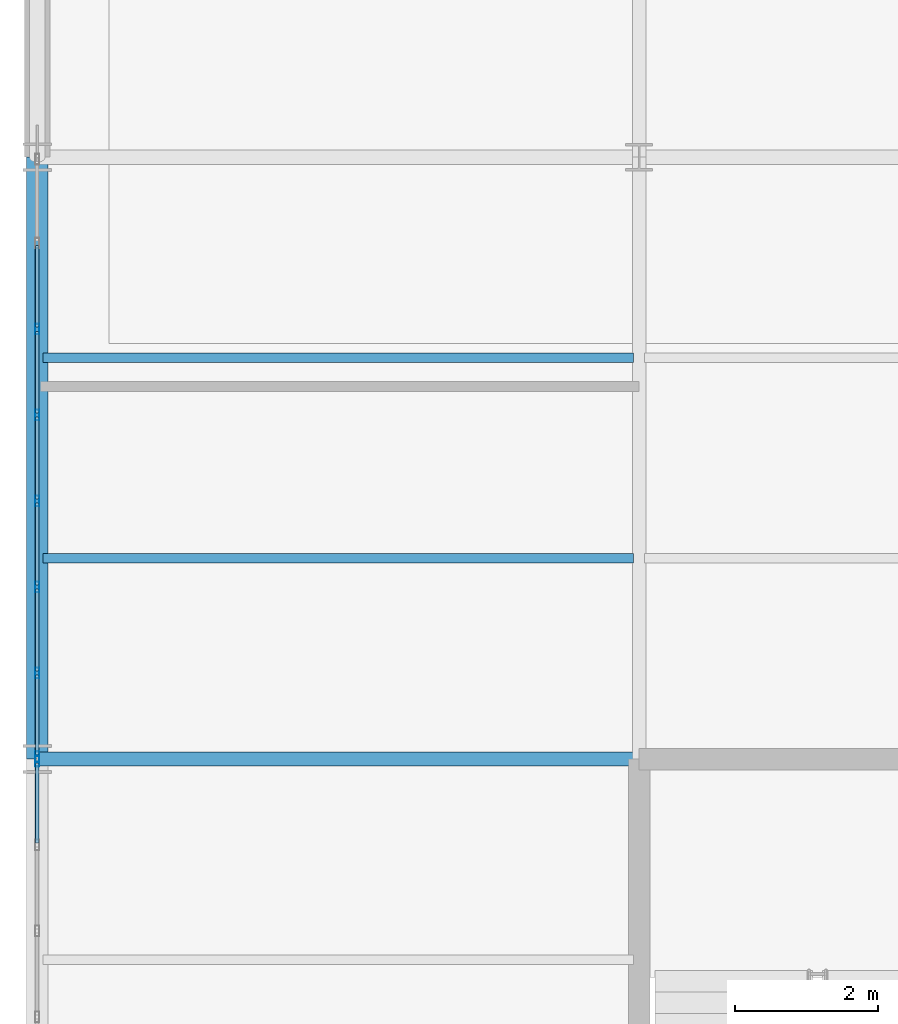
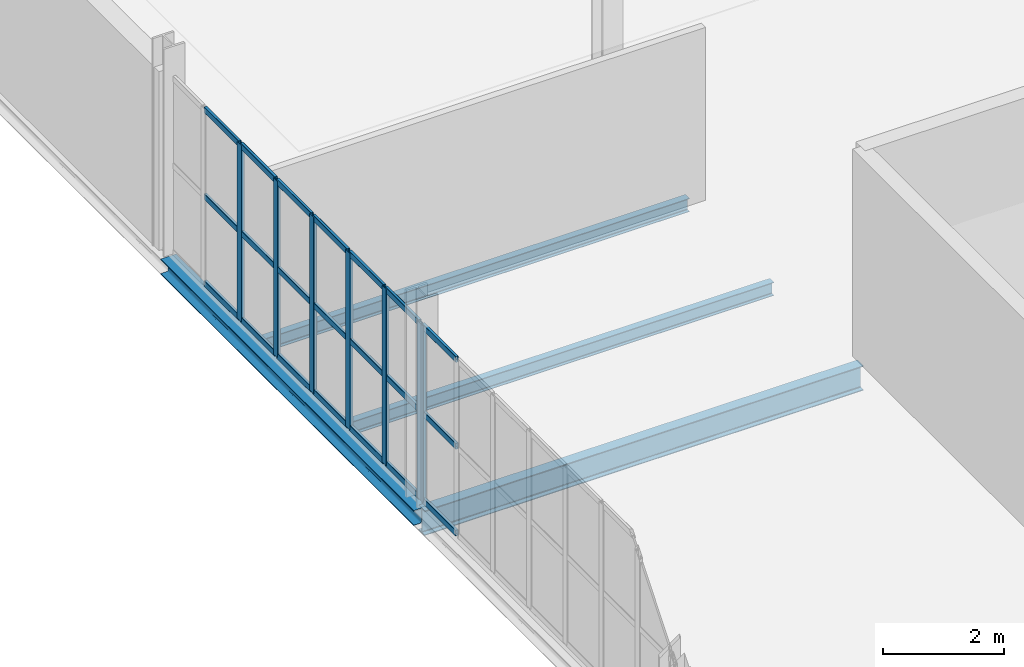
# One storey, part 30 of 163: 28 members, 4 beams, 2 elements without a shape of their own.
"""IFC4 building model written with IfcOpenShell, lengths in metres."""

from ifc_helpers import new_model, si_unit, direction, frame, origin, origin_2d, place, context, subcontext, project, spatial, hollow_rectangle, i_section, extrude, material, layer, layer_set, material_profile, profile_set, type_object, element, aggregate, save


model = new_model("IFC4")

# Units and contexts
model_context = context("Model", 3, precision=1e-05, world=origin(), true_north=direction((0.0, 1.0)))
body_context = subcontext(model_context, "Body", "Model", "MODEL_VIEW")
ifc_project = project(units=[si_unit("LENGTHUNIT", "METRE"), si_unit("AREAUNIT", "SQUARE_METRE"), si_unit("VOLUMEUNIT", "CUBIC_METRE"), si_unit("PLANEANGLEUNIT", "RADIAN"), si_unit("MASSUNIT", "GRAM", prefix="KILO")], contexts=[model_context])

# Site, building, storey
site_placement = place(None, origin())
site = spatial("IfcSite", under=ifc_project, at=site_placement, CompositionType="ELEMENT")
building_placement = place(site_placement, origin())
building = spatial("IfcBuilding", under=site, at=building_placement, Name="Qalvenar Corner Mobility Hub", CompositionType="ELEMENT")
storey_placement = place(building_placement, frame((0.0, 0.0, 4.800048828125)))
storey = spatial("IfcBuildingStorey", under=building, at=storey_placement, Name="L01", CompositionType="ELEMENT", Elevation=4.800048828125)

# Beams
ifc_material_1 = material(Name="Steel S355", Category="steel")
ifc_material_profile_1 = material_profile(ifc_material_1, i_section(OverallWidth=0.199951171875, OverallDepth=0.5, WebThickness=0.01025390625, FlangeThickness=0.01611328125, FilletRadius=0.02099609375, at=origin_2d()), Name="IPE500")
ifc_profile_set_1 = profile_set([ifc_material_profile_1], Name="Steel S355")
beam_type_1 = type_object("IfcBeamType", Name="BM-IPE500", PredefinedType="BEAM", material=ifc_profile_set_1)
beam_1_placement = place(storey_placement, frame((0.0, 16.800048828125, -0.429931640625), z_axis=(1.0, 0.0, 0.0), x_axis=(0.0, 1.0, 0.0)))
element("IfcBeam", 1, at=beam_1_placement, inside=storey, type_object=beam_type_1, Name="Primary Steel Girder GX-0827", PredefinedType="BEAM", context=body_context, shape_type="SweptSolid", body=[
    extrude(i_section(OverallWidth=0.199951171875, OverallDepth=0.5, WebThickness=0.01025390625, FlangeThickness=0.01611328125, FilletRadius=0.02099609375, at=origin_2d()), origin(), (0.0, 0.0, 1.0), 8.39990234375),
])
ifc_material_profile_2 = material_profile(ifc_material_1, i_section(OverallWidth=0.135009765625, OverallDepth=0.27001953125, WebThickness=0.006591796875, FlangeThickness=0.01025390625, FilletRadius=0.014892578125, at=origin_2d()), Name="IPE270")
ifc_profile_set_2 = profile_set([ifc_material_profile_2], Name="Steel S355")
beam_type_2 = type_object("IfcBeamType", Name="BM-JST270", PredefinedType="JOIST", material=ifc_profile_set_2)
for number, where, z_axis, x_axis, name in (
    (2, (0.077880859375, 19.60009765625, -0.31494140625), (1.0, 0.0, 0.0), (0.0, 1.0, 0.0), "Composite Floor Joist J-0891"),
    (3, (0.077880859375, 22.39990234375, -0.31494140625), (1.0, 0.0, 0.0), (0.0, 1.0, 0.0), "Composite Floor Joist J-0892"),
):
    element("IfcBeam", number, at=place(storey_placement, frame(where, z_axis=z_axis, x_axis=x_axis)), inside=storey, type_object=beam_type_2, Name=name, PredefinedType="JOIST", context=body_context, shape_type="SweptSolid", body=[
        extrude(i_section(OverallWidth=0.135009765625, OverallDepth=0.27001953125, WebThickness=0.006591796875, FlangeThickness=0.01025390625, FilletRadius=0.014892578125, at=origin_2d()), origin(), (0.0, 0.0, 1.0), 8.244140625),
    ])
ifc_material_profile_3 = material_profile(ifc_material_1, i_section(OverallWidth=0.300048828125, OverallDepth=0.31005859375, WebThickness=0.009033203125, FlangeThickness=0.015380859375, FilletRadius=0.027099609375, at=origin_2d()), Name="HEA320")
ifc_profile_set_3 = profile_set([ifc_material_profile_3], Name="Steel S355")
beam_type_3 = type_object("IfcBeamType", Name="BM-SPN320", PredefinedType="SPANDREL", material=ifc_profile_set_3)
beam_2_placement = place(storey_placement, frame((0.0, 16.800048828125, -0.3349609375), z_axis=(0.0, 1.0, 0.0), x_axis=(-1.0, 0.0, 0.0)))
element("IfcBeam", 4, at=beam_2_placement, inside=storey, type_object=beam_type_3, Name="Primary Steel Girder GY-0853", PredefinedType="SPANDREL", context=body_context, shape_type="SweptSolid", body=[
    extrude(i_section(OverallWidth=0.300048828125, OverallDepth=0.31005859375, WebThickness=0.009033203125, FlangeThickness=0.015380859375, FilletRadius=0.027099609375, at=origin_2d()), origin(), (0.0, 0.0, 1.0), 8.39990234375),
])

# Curtain wall, member
ifc_material_2 = material(Name="Anodised Aluminium and Low-E Glazing", Category="aluminium")
ifc_layer = layer(ifc_material_2, 0.14990234375)
ifc_layer_set = layer_set([ifc_layer], Name="Anodised Aluminium and Low-E Glazing")
curtain_wall_type = type_object("IfcCurtainWallType", Name="CW-CIV-84X40", PredefinedType="NOTDEFINED", material=ifc_layer_set)
curtain_wall_1_placement = place(storey_placement, origin())
curtain_wall_1 = element("IfcCurtainWall", 5, at=curtain_wall_1_placement, inside=storey, type_object=curtain_wall_type, Name="Glazed Curtain Wall CW-V3-L01-W1", PredefinedType="NOTDEFINED")
ifc_material_3 = material(Name="Anodised Aluminium 6063-T6", Category="aluminium")
ifc_material_profile_4 = material_profile(ifc_material_3, hollow_rectangle(XDim=0.06005859375, YDim=0.14990234375, WallThickness=0.00390625, InnerFilletRadius=0.00390625, OuterFilletRadius=0.008056640625, at=origin_2d()), Name="RHS150x60x4")
ifc_profile_set_4 = profile_set([ifc_material_profile_4], Name="Anodised Aluminium 6063-T6")
member_type_1 = type_object("IfcMemberType", Name="CW-MUL150", PredefinedType="MULLION", material=ifc_profile_set_4)
member_1_placement = place(storey_placement, frame((0.0, 16.77001953125, 0.0), z_axis=(0.0, 0.0, 1.0), x_axis=(1.0, 0.0, 0.0)))
member_1 = element("IfcMember", 6, at=member_1_placement, type_object=member_type_1, Name="CW-05 mullion 1", PredefinedType="MULLION", context=body_context, shape_type="SweptSolid", body=[
    extrude(hollow_rectangle(XDim=0.06005859375, YDim=0.14990234375, WallThickness=0.00390625, InnerFilletRadius=0.00390625, OuterFilletRadius=0.008056640625, at=origin_2d()), origin(), (0.0, 0.0, 1.0), 3.570068359375),
])

# Curtain wall, members
curtain_wall_2_placement = place(storey_placement, origin())
curtain_wall_2 = element("IfcCurtainWall", 7, at=curtain_wall_2_placement, inside=storey, type_object=curtain_wall_type, Name="Glazed Curtain Wall CW-V3-L01-W2", PredefinedType="NOTDEFINED")
member_2_placement = place(storey_placement, frame((0.0, 22.800048828125, 0.0), z_axis=(0.0, 0.0, 1.0), x_axis=(1.0, 0.0, 0.0)))
member_2 = element("IfcMember", 8, at=member_2_placement, type_object=member_type_1, Name="CW-05 mullion 3", PredefinedType="MULLION", context=body_context, shape_type="SweptSolid", body=[
    extrude(hollow_rectangle(XDim=0.06005859375, YDim=0.14990234375, WallThickness=0.00390625, InnerFilletRadius=0.00390625, OuterFilletRadius=0.008056640625, at=origin_2d()), origin(), (0.0, 0.0, 1.0), 3.570068359375),
])
member_3_placement = place(storey_placement, frame((0.0, 21.60009765625, 0.0), z_axis=(0.0, 0.0, 1.0), x_axis=(1.0, 0.0, 0.0)))
member_3 = element("IfcMember", 9, at=member_3_placement, type_object=member_type_1, Name="CW-05 mullion 4", PredefinedType="MULLION", context=body_context, shape_type="SweptSolid", body=[
    extrude(hollow_rectangle(XDim=0.06005859375, YDim=0.14990234375, WallThickness=0.00390625, InnerFilletRadius=0.00390625, OuterFilletRadius=0.008056640625, at=origin_2d()), origin(), (0.0, 0.0, 1.0), 3.570068359375),
])
member_4_placement = place(storey_placement, frame((0.0, 20.39990234375, 0.0), z_axis=(0.0, 0.0, 1.0), x_axis=(1.0, 0.0, 0.0)))
member_4 = element("IfcMember", 10, at=member_4_placement, type_object=member_type_1, Name="CW-05 mullion 5", PredefinedType="MULLION", context=body_context, shape_type="SweptSolid", body=[
    extrude(hollow_rectangle(XDim=0.06005859375, YDim=0.14990234375, WallThickness=0.00390625, InnerFilletRadius=0.00390625, OuterFilletRadius=0.008056640625, at=origin_2d()), origin(), (0.0, 0.0, 1.0), 3.570068359375),
])
member_5_placement = place(storey_placement, frame((0.0, 19.199951171875, 0.0), z_axis=(0.0, 0.0, 1.0), x_axis=(1.0, 0.0, 0.0)))
member_5 = element("IfcMember", 11, at=member_5_placement, type_object=member_type_1, Name="CW-05 mullion 6", PredefinedType="MULLION", context=body_context, shape_type="SweptSolid", body=[
    extrude(hollow_rectangle(XDim=0.06005859375, YDim=0.14990234375, WallThickness=0.00390625, InnerFilletRadius=0.00390625, OuterFilletRadius=0.008056640625, at=origin_2d()), origin(), (0.0, 0.0, 1.0), 3.570068359375),
])
member_6_placement = place(storey_placement, frame((0.0, 18.0, 0.0), z_axis=(0.0, 0.0, 1.0), x_axis=(1.0, 0.0, 0.0)))
member_6 = element("IfcMember", 12, at=member_6_placement, type_object=member_type_1, Name="CW-05 mullion 7", PredefinedType="MULLION", context=body_context, shape_type="SweptSolid", body=[
    extrude(hollow_rectangle(XDim=0.06005859375, YDim=0.14990234375, WallThickness=0.00390625, InnerFilletRadius=0.00390625, OuterFilletRadius=0.008056640625, at=origin_2d()), origin(), (0.0, 0.0, 1.0), 3.570068359375),
])
member_7_placement = place(storey_placement, frame((0.0, 16.830078125, 0.0), z_axis=(0.0, 0.0, 1.0), x_axis=(1.0, 0.0, 0.0)))
member_7 = element("IfcMember", 13, at=member_7_placement, type_object=member_type_1, Name="CW-05 mullion 8", PredefinedType="MULLION", context=body_context, shape_type="SweptSolid", body=[
    extrude(hollow_rectangle(XDim=0.06005859375, YDim=0.14990234375, WallThickness=0.00390625, InnerFilletRadius=0.00390625, OuterFilletRadius=0.008056640625, at=origin_2d()), origin(), (0.0, 0.0, 1.0), 3.570068359375),
])

# Member
ifc_material_profile_5 = material_profile(ifc_material_3, hollow_rectangle(XDim=0.054931640625, YDim=0.1201171875, WallThickness=0.00341796875, InnerFilletRadius=0.00341796875, OuterFilletRadius=0.007080078125, at=origin_2d()), Name="RHS120x55x3.5")
ifc_profile_set_5 = profile_set([ifc_material_profile_5], Name="Anodised Aluminium 6063-T6")
member_type_2 = type_object("IfcMemberType", Name="CW-TRN120", PredefinedType="USERDEFINED", material=ifc_profile_set_5)
member_8_placement = place(storey_placement, frame((0.0, 16.739990234375, 0.02734375), z_axis=(0.0, -1.0, 0.0), x_axis=(1.0, 0.0, 0.0)))
member_8 = element("IfcMember", 14, at=member_8_placement, type_object=member_type_2, Name="CW-05 transom 1.1", ObjectType="TRANSOM", PredefinedType="USERDEFINED", context=body_context, shape_type="SweptSolid", body=[
    extrude(hollow_rectangle(XDim=0.054931640625, YDim=0.1201171875, WallThickness=0.00341796875, InnerFilletRadius=0.00341796875, OuterFilletRadius=0.007080078125, at=origin_2d()), origin(), (0.0, 0.0, 1.0), 1.110107421875),
])

member_9_placement = place(storey_placement, frame((0.0, 16.739990234375, 1.784912109375), z_axis=(0.0, -1.0, 0.0), x_axis=(1.0, 0.0, 0.0)))
member_9 = element("IfcMember", 15, at=member_9_placement, type_object=member_type_2, Name="CW-05 transom 1.2", ObjectType="TRANSOM", PredefinedType="USERDEFINED", context=body_context, shape_type="SweptSolid", body=[
    extrude(hollow_rectangle(XDim=0.054931640625, YDim=0.1201171875, WallThickness=0.00341796875, InnerFilletRadius=0.00341796875, OuterFilletRadius=0.007080078125, at=origin_2d()), origin(), (0.0, 0.0, 1.0), 1.110107421875),
])

member_10_placement = place(storey_placement, frame((0.0, 16.739990234375, 3.54248046875), z_axis=(0.0, -1.0, 0.0), x_axis=(1.0, 0.0, 0.0)))
member_10 = element("IfcMember", 16, at=member_10_placement, type_object=member_type_2, Name="CW-05 transom 1.3", ObjectType="TRANSOM", PredefinedType="USERDEFINED", context=body_context, shape_type="SweptSolid", body=[
    extrude(hollow_rectangle(XDim=0.054931640625, YDim=0.1201171875, WallThickness=0.00341796875, InnerFilletRadius=0.00341796875, OuterFilletRadius=0.007080078125, at=origin_2d()), origin(), (0.0, 0.0, 1.0), 1.110107421875),
])

aggregate(curtain_wall_1, [member_1, member_8, member_9, member_10])

member_11_placement = place(storey_placement, frame((0.0, 23.969970703125, 0.02734375), z_axis=(0.0, -1.0, 0.0), x_axis=(1.0, 0.0, 0.0)))
member_11 = element("IfcMember", 17, at=member_11_placement, type_object=member_type_2, Name="CW-05 transom 2.1", ObjectType="TRANSOM", PredefinedType="USERDEFINED", context=body_context, shape_type="SweptSolid", body=[
    extrude(hollow_rectangle(XDim=0.054931640625, YDim=0.1201171875, WallThickness=0.00341796875, InnerFilletRadius=0.00341796875, OuterFilletRadius=0.007080078125, at=origin_2d()), origin(), (0.0, 0.0, 1.0), 1.139892578125),
])

member_12_placement = place(storey_placement, frame((0.0, 23.969970703125, 1.784912109375), z_axis=(0.0, -1.0, 0.0), x_axis=(1.0, 0.0, 0.0)))
member_12 = element("IfcMember", 18, at=member_12_placement, type_object=member_type_2, Name="CW-05 transom 2.2", ObjectType="TRANSOM", PredefinedType="USERDEFINED", context=body_context, shape_type="SweptSolid", body=[
    extrude(hollow_rectangle(XDim=0.054931640625, YDim=0.1201171875, WallThickness=0.00341796875, InnerFilletRadius=0.00341796875, OuterFilletRadius=0.007080078125, at=origin_2d()), origin(), (0.0, 0.0, 1.0), 1.139892578125),
])

member_13_placement = place(storey_placement, frame((0.0, 23.969970703125, 3.54248046875), z_axis=(0.0, -1.0, 0.0), x_axis=(1.0, 0.0, 0.0)))
member_13 = element("IfcMember", 19, at=member_13_placement, type_object=member_type_2, Name="CW-05 transom 2.3", ObjectType="TRANSOM", PredefinedType="USERDEFINED", context=body_context, shape_type="SweptSolid", body=[
    extrude(hollow_rectangle(XDim=0.054931640625, YDim=0.1201171875, WallThickness=0.00341796875, InnerFilletRadius=0.00341796875, OuterFilletRadius=0.007080078125, at=origin_2d()), origin(), (0.0, 0.0, 1.0), 1.139892578125),
])

member_14_placement = place(storey_placement, frame((0.0, 22.77001953125, 0.02734375), z_axis=(0.0, -1.0, 0.0), x_axis=(1.0, 0.0, 0.0)))
member_14 = element("IfcMember", 20, at=member_14_placement, type_object=member_type_2, Name="CW-05 transom 3.1", ObjectType="TRANSOM", PredefinedType="USERDEFINED", context=body_context, shape_type="SweptSolid", body=[
    extrude(hollow_rectangle(XDim=0.054931640625, YDim=0.1201171875, WallThickness=0.00341796875, InnerFilletRadius=0.00341796875, OuterFilletRadius=0.007080078125, at=origin_2d()), origin(), (0.0, 0.0, 1.0), 1.14013671875),
])

member_15_placement = place(storey_placement, frame((0.0, 22.77001953125, 1.784912109375), z_axis=(0.0, -1.0, 0.0), x_axis=(1.0, 0.0, 0.0)))
member_15 = element("IfcMember", 21, at=member_15_placement, type_object=member_type_2, Name="CW-05 transom 3.2", ObjectType="TRANSOM", PredefinedType="USERDEFINED", context=body_context, shape_type="SweptSolid", body=[
    extrude(hollow_rectangle(XDim=0.054931640625, YDim=0.1201171875, WallThickness=0.00341796875, InnerFilletRadius=0.00341796875, OuterFilletRadius=0.007080078125, at=origin_2d()), origin(), (0.0, 0.0, 1.0), 1.14013671875),
])

member_16_placement = place(storey_placement, frame((0.0, 22.77001953125, 3.54248046875), z_axis=(0.0, -1.0, 0.0), x_axis=(1.0, 0.0, 0.0)))
member_16 = element("IfcMember", 22, at=member_16_placement, type_object=member_type_2, Name="CW-05 transom 3.3", ObjectType="TRANSOM", PredefinedType="USERDEFINED", context=body_context, shape_type="SweptSolid", body=[
    extrude(hollow_rectangle(XDim=0.054931640625, YDim=0.1201171875, WallThickness=0.00341796875, InnerFilletRadius=0.00341796875, OuterFilletRadius=0.007080078125, at=origin_2d()), origin(), (0.0, 0.0, 1.0), 1.14013671875),
])

member_17_placement = place(storey_placement, frame((0.0, 21.570068359375, 0.02734375), z_axis=(0.0, -1.0, 0.0), x_axis=(1.0, 0.0, 0.0)))
member_17 = element("IfcMember", 23, at=member_17_placement, type_object=member_type_2, Name="CW-05 transom 4.1", ObjectType="TRANSOM", PredefinedType="USERDEFINED", context=body_context, shape_type="SweptSolid", body=[
    extrude(hollow_rectangle(XDim=0.054931640625, YDim=0.1201171875, WallThickness=0.00341796875, InnerFilletRadius=0.00341796875, OuterFilletRadius=0.007080078125, at=origin_2d()), origin(), (0.0, 0.0, 1.0), 1.14013671875),
])

member_18_placement = place(storey_placement, frame((0.0, 21.570068359375, 1.784912109375), z_axis=(0.0, -1.0, 0.0), x_axis=(1.0, 0.0, 0.0)))
member_18 = element("IfcMember", 24, at=member_18_placement, type_object=member_type_2, Name="CW-05 transom 4.2", ObjectType="TRANSOM", PredefinedType="USERDEFINED", context=body_context, shape_type="SweptSolid", body=[
    extrude(hollow_rectangle(XDim=0.054931640625, YDim=0.1201171875, WallThickness=0.00341796875, InnerFilletRadius=0.00341796875, OuterFilletRadius=0.007080078125, at=origin_2d()), origin(), (0.0, 0.0, 1.0), 1.14013671875),
])

member_19_placement = place(storey_placement, frame((0.0, 21.570068359375, 3.54248046875), z_axis=(0.0, -1.0, 0.0), x_axis=(1.0, 0.0, 0.0)))
member_19 = element("IfcMember", 25, at=member_19_placement, type_object=member_type_2, Name="CW-05 transom 4.3", ObjectType="TRANSOM", PredefinedType="USERDEFINED", context=body_context, shape_type="SweptSolid", body=[
    extrude(hollow_rectangle(XDim=0.054931640625, YDim=0.1201171875, WallThickness=0.00341796875, InnerFilletRadius=0.00341796875, OuterFilletRadius=0.007080078125, at=origin_2d()), origin(), (0.0, 0.0, 1.0), 1.14013671875),
])

member_20_placement = place(storey_placement, frame((0.0, 20.3701171875, 0.02734375), z_axis=(0.0, -1.0, 0.0), x_axis=(1.0, 0.0, 0.0)))
member_20 = element("IfcMember", 26, at=member_20_placement, type_object=member_type_2, Name="CW-05 transom 5.1", ObjectType="TRANSOM", PredefinedType="USERDEFINED", context=body_context, shape_type="SweptSolid", body=[
    extrude(hollow_rectangle(XDim=0.054931640625, YDim=0.1201171875, WallThickness=0.00341796875, InnerFilletRadius=0.00341796875, OuterFilletRadius=0.007080078125, at=origin_2d()), origin(), (0.0, 0.0, 1.0), 1.14013671875),
])

member_21_placement = place(storey_placement, frame((0.0, 20.3701171875, 1.784912109375), z_axis=(0.0, -1.0, 0.0), x_axis=(1.0, 0.0, 0.0)))
member_21 = element("IfcMember", 27, at=member_21_placement, type_object=member_type_2, Name="CW-05 transom 5.2", ObjectType="TRANSOM", PredefinedType="USERDEFINED", context=body_context, shape_type="SweptSolid", body=[
    extrude(hollow_rectangle(XDim=0.054931640625, YDim=0.1201171875, WallThickness=0.00341796875, InnerFilletRadius=0.00341796875, OuterFilletRadius=0.007080078125, at=origin_2d()), origin(), (0.0, 0.0, 1.0), 1.14013671875),
])

member_22_placement = place(storey_placement, frame((0.0, 20.3701171875, 3.54248046875), z_axis=(0.0, -1.0, 0.0), x_axis=(1.0, 0.0, 0.0)))
member_22 = element("IfcMember", 28, at=member_22_placement, type_object=member_type_2, Name="CW-05 transom 5.3", ObjectType="TRANSOM", PredefinedType="USERDEFINED", context=body_context, shape_type="SweptSolid", body=[
    extrude(hollow_rectangle(XDim=0.054931640625, YDim=0.1201171875, WallThickness=0.00341796875, InnerFilletRadius=0.00341796875, OuterFilletRadius=0.007080078125, at=origin_2d()), origin(), (0.0, 0.0, 1.0), 1.14013671875),
])

member_23_placement = place(storey_placement, frame((0.0, 19.169921875, 0.02734375), z_axis=(0.0, -1.0, 0.0), x_axis=(1.0, 0.0, 0.0)))
member_23 = element("IfcMember", 29, at=member_23_placement, type_object=member_type_2, Name="CW-05 transom 6.1", ObjectType="TRANSOM", PredefinedType="USERDEFINED", context=body_context, shape_type="SweptSolid", body=[
    extrude(hollow_rectangle(XDim=0.054931640625, YDim=0.1201171875, WallThickness=0.00341796875, InnerFilletRadius=0.00341796875, OuterFilletRadius=0.007080078125, at=origin_2d()), origin(), (0.0, 0.0, 1.0), 1.139892578125),
])

member_24_placement = place(storey_placement, frame((0.0, 19.169921875, 1.784912109375), z_axis=(0.0, -1.0, 0.0), x_axis=(1.0, 0.0, 0.0)))
member_24 = element("IfcMember", 30, at=member_24_placement, type_object=member_type_2, Name="CW-05 transom 6.2", ObjectType="TRANSOM", PredefinedType="USERDEFINED", context=body_context, shape_type="SweptSolid", body=[
    extrude(hollow_rectangle(XDim=0.054931640625, YDim=0.1201171875, WallThickness=0.00341796875, InnerFilletRadius=0.00341796875, OuterFilletRadius=0.007080078125, at=origin_2d()), origin(), (0.0, 0.0, 1.0), 1.139892578125),
])

member_25_placement = place(storey_placement, frame((0.0, 19.169921875, 3.54248046875), z_axis=(0.0, -1.0, 0.0), x_axis=(1.0, 0.0, 0.0)))
member_25 = element("IfcMember", 31, at=member_25_placement, type_object=member_type_2, Name="CW-05 transom 6.3", ObjectType="TRANSOM", PredefinedType="USERDEFINED", context=body_context, shape_type="SweptSolid", body=[
    extrude(hollow_rectangle(XDim=0.054931640625, YDim=0.1201171875, WallThickness=0.00341796875, InnerFilletRadius=0.00341796875, OuterFilletRadius=0.007080078125, at=origin_2d()), origin(), (0.0, 0.0, 1.0), 1.139892578125),
])

member_26_placement = place(storey_placement, frame((0.0, 17.969970703125, 0.02734375), z_axis=(0.0, -1.0, 0.0), x_axis=(1.0, 0.0, 0.0)))
member_26 = element("IfcMember", 32, at=member_26_placement, type_object=member_type_2, Name="CW-05 transom 7.1", ObjectType="TRANSOM", PredefinedType="USERDEFINED", context=body_context, shape_type="SweptSolid", body=[
    extrude(hollow_rectangle(XDim=0.054931640625, YDim=0.1201171875, WallThickness=0.00341796875, InnerFilletRadius=0.00341796875, OuterFilletRadius=0.007080078125, at=origin_2d()), origin(), (0.0, 0.0, 1.0), 1.10986328125),
])

member_27_placement = place(storey_placement, frame((0.0, 17.969970703125, 1.784912109375), z_axis=(0.0, -1.0, 0.0), x_axis=(1.0, 0.0, 0.0)))
member_27 = element("IfcMember", 33, at=member_27_placement, type_object=member_type_2, Name="CW-05 transom 7.2", ObjectType="TRANSOM", PredefinedType="USERDEFINED", context=body_context, shape_type="SweptSolid", body=[
    extrude(hollow_rectangle(XDim=0.054931640625, YDim=0.1201171875, WallThickness=0.00341796875, InnerFilletRadius=0.00341796875, OuterFilletRadius=0.007080078125, at=origin_2d()), origin(), (0.0, 0.0, 1.0), 1.10986328125),
])

member_28_placement = place(storey_placement, frame((0.0, 17.969970703125, 3.54248046875), z_axis=(0.0, -1.0, 0.0), x_axis=(1.0, 0.0, 0.0)))
member_28 = element("IfcMember", 34, at=member_28_placement, type_object=member_type_2, Name="CW-05 transom 7.3", ObjectType="TRANSOM", PredefinedType="USERDEFINED", context=body_context, shape_type="SweptSolid", body=[
    extrude(hollow_rectangle(XDim=0.054931640625, YDim=0.1201171875, WallThickness=0.00341796875, InnerFilletRadius=0.00341796875, OuterFilletRadius=0.007080078125, at=origin_2d()), origin(), (0.0, 0.0, 1.0), 1.10986328125),
])

aggregate(curtain_wall_2, [member_2, member_3, member_4, member_5, member_6, member_7, member_11, member_12, member_13, member_14, member_15, member_16, member_17, member_18, member_19, member_20, member_21, member_22, member_23, member_24, member_25, member_26, member_27, member_28])

save(model, "model.ifc")
